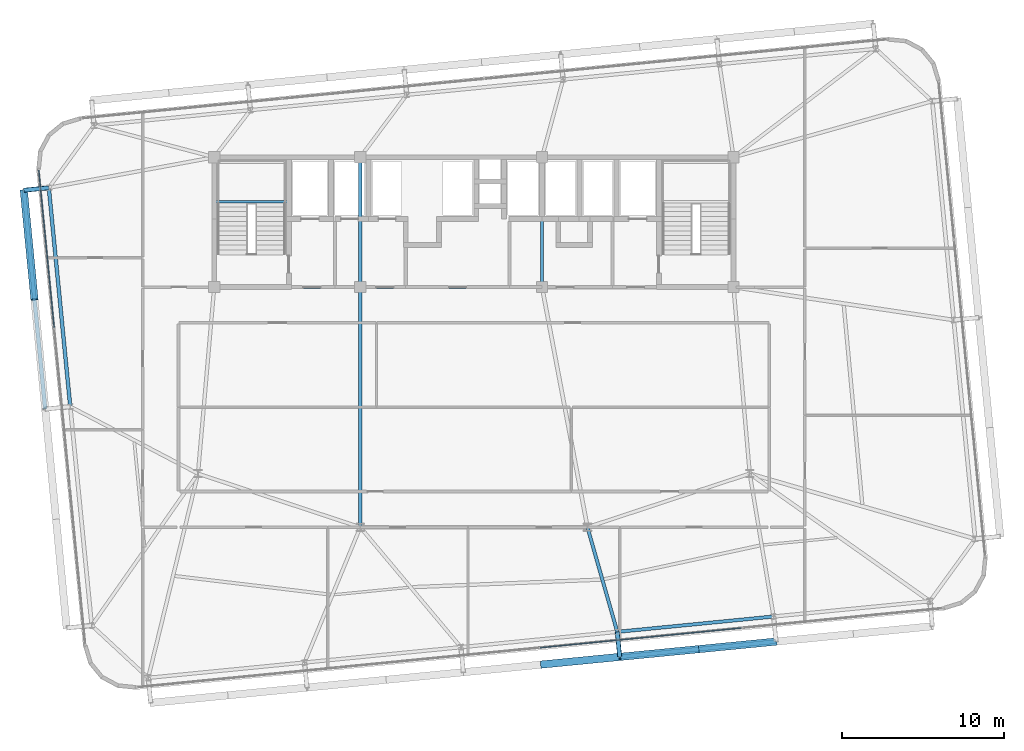
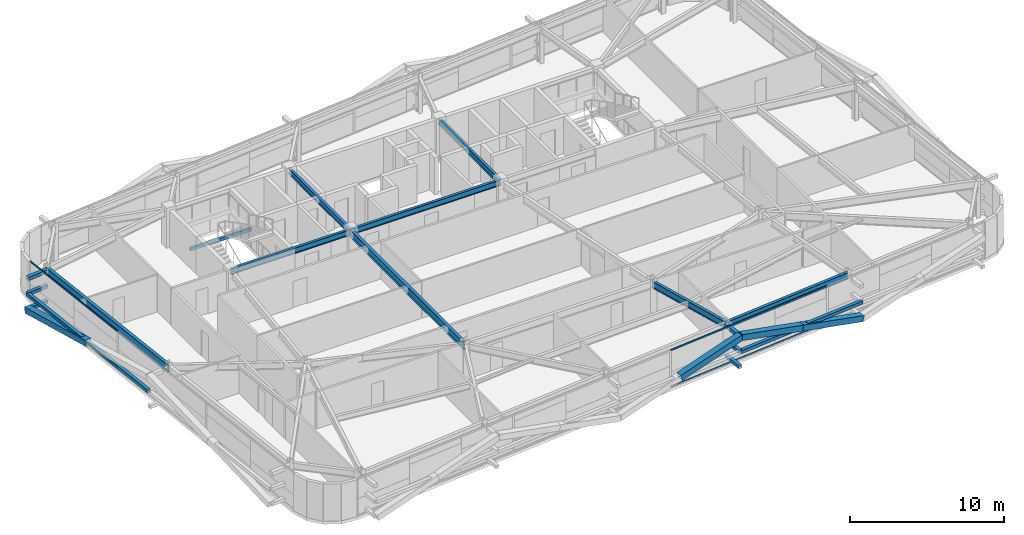
# One storey, part 14 of 47: 16 members, 9 beams, 2 elements without a shape of their own.
"""IFC4 building model written with IfcOpenShell, lengths in metres."""

import ifcopenshell
import ifcopenshell.guid

model = None  # the IFC model being written
_history = None  # IfcOwnerHistory: only IFC2X3 demands one
_inside = {}  # id of a spatial element -> (the spatial element, [elements in it])
_under = {}  # id of a project, library or spatial element -> (it, [spatial elements below it])
_declared = {}  # id of a project -> (the project, [libraries it declares])
_typed = {}  # id of a type object -> (the type object, [elements of that type])
_made_of = {}  # id of a material, layer set ... -> (it, [elements and type objects made of it])


def new_model(schema):
    """Start an empty IFC model of exactly this schema.

    Asked for "IFC4X3", IfcOpenShell would pick the latest addendum, in which some entities
    have other attributes; the version numbers below select the first issue.
    IFC2X3 requires an IfcOwnerHistory on every rooted entity: one is made here for all.
    """
    global model, _history
    if schema == "IFC4X3":
        model = ifcopenshell.file(schema_version=(4, 3, 0, 0))
    else:
        model = ifcopenshell.file(schema=schema)
    _inside.clear()
    _under.clear()
    _declared.clear()
    _typed.clear()
    _made_of.clear()
    _history = None
    if model.schema == "IFC2X3":
        org = make("IfcOrganization", Name="unknown")
        user = make(
            "IfcPersonAndOrganization",
            ThePerson=make("IfcPerson", FamilyName="unknown"),
            TheOrganization=org,
        )
        app = make(
            "IfcApplication",
            ApplicationDeveloper=org,
            Version="unknown",
            ApplicationFullName="unknown",
            ApplicationIdentifier="unknown",
        )
        _history = make(
            "IfcOwnerHistory",
            OwningUser=user,
            OwningApplication=app,
            ChangeAction="ADDED",
            CreationDate=0,
        )
    return model


def make(cls, **values):
    """One entity of the class cls with the attributes given. An attribute that is None is left unset."""
    return model.create_entity(
        cls, **{name: value for name, value in values.items() if value is not None}
    )


def rooted(cls, **values):
    """An entity with a GlobalId (a new one), such as an element, a storey or a relation."""
    return make(cls, GlobalId=ifcopenshell.guid.new(), OwnerHistory=_history, **values)


def si_unit(unit_type, name, prefix=None):
    """IfcSIUnit, for example si_unit("LENGTHUNIT", "METRE", prefix="MILLI")."""
    return make("IfcSIUnit", UnitType=unit_type, Prefix=prefix, Name=name)


def assignment(units):
    """IfcUnitAssignment: the units of a project."""
    return None if units is None else make("IfcUnitAssignment", Units=units)


def point(xyz):
    """IfcCartesianPoint."""
    return None if xyz is None else make("IfcCartesianPoint", Coordinates=xyz)


def direction(xyz):
    """IfcDirection."""
    return None if xyz is None else make("IfcDirection", DirectionRatios=xyz)


def frame(location, z_axis=None, x_axis=None):
    """IfcAxis2Placement3D, a coordinate frame: its origin and axes. An axis left out is left unset."""
    return make(
        "IfcAxis2Placement3D",
        Location=point(location),
        Axis=direction(z_axis),
        RefDirection=direction(x_axis),
    )


def frame_2d(location, x_axis=None):
    """IfcAxis2Placement2D, a coordinate frame in the plane: its origin and x axis."""
    return make(
        "IfcAxis2Placement2D", Location=point(location), RefDirection=direction(x_axis)
    )


def origin():
    """The frame at (0, 0, 0) with its axes left unset."""
    return frame((0.0, 0.0, 0.0))


def origin_2d():
    """The frame at (0, 0) in the plane with its x axis left unset."""
    return frame_2d((0.0, 0.0))


def place(relative_to, where):
    """IfcLocalPlacement: puts the frame where relative to a parent placement (None: the world)."""
    return make(
        "IfcLocalPlacement", PlacementRelTo=relative_to, RelativePlacement=where
    )


def context(
    kind, dimensions, precision=None, world=None, true_north=None, identifier=None
):
    """IfcGeometricRepresentationContext, for example the 3D "Model" context."""
    return make(
        "IfcGeometricRepresentationContext",
        ContextIdentifier=identifier,
        ContextType=kind,
        CoordinateSpaceDimension=dimensions,
        Precision=precision,
        WorldCoordinateSystem=world,
        TrueNorth=true_north,
    )


def subcontext(parent, identifier, kind, view, scale=None):
    """IfcGeometricRepresentationSubContext, for example "Body" below "Model"."""
    return make(
        "IfcGeometricRepresentationSubContext",
        ContextIdentifier=identifier,
        ContextType=kind,
        ParentContext=parent,
        TargetScale=scale,
        TargetView=view,
    )


def project(units=None, contexts=None):
    """IfcProject with its units and contexts."""
    return rooted(
        "IfcProject",
        Name="project",
        RepresentationContexts=contexts,
        UnitsInContext=assignment(units),
    )


def spatial(cls, under=None, at=None, **own):
    """A site, building, storey or space (cls), placed at a placement, below another one or the project."""
    s = rooted(cls, ObjectPlacement=at, **own)
    if under is not None:
        _under.setdefault(under.id(), (under, []))[1].append(s)
    return s


def profile(cls, at=None, kind="AREA", **sizes):
    """A parametric profile (cls). Its sizes go by their IFC names, for example OverallWidth=200.0."""
    return make(cls, ProfileType=kind, Position=at, **sizes)


def hollow_rectangle(**sizes):
    """IfcRectangleHollowProfileDef."""
    return profile("IfcRectangleHollowProfileDef", **sizes)


def i_section(**sizes):
    """IfcIShapeProfileDef."""
    return profile("IfcIShapeProfileDef", **sizes)


def extrude(swept, where, along, depth):
    """IfcExtrudedAreaSolid: the profile swept, set in the frame where, extruded along a direction by depth."""
    return make(
        "IfcExtrudedAreaSolid",
        SweptArea=swept,
        Position=where,
        ExtrudedDirection=direction(along),
        Depth=depth,
    )


def shape(context_of_items, identifier, shape_type, items):
    """IfcShapeRepresentation: the items that make up one representation, for example the "Body"."""
    return make(
        "IfcShapeRepresentation",
        ContextOfItems=context_of_items,
        RepresentationIdentifier=identifier,
        RepresentationType=shape_type,
        Items=items,
    )


def source(mapping_origin, context_of_items, identifier, shape_type, items):
    """IfcRepresentationMap: a shape defined once, which mapped items show again and again."""
    return make(
        "IfcRepresentationMap",
        MappingOrigin=mapping_origin,
        MappedRepresentation=shape(context_of_items, identifier, shape_type, items),
    )


def transform(
    local_origin,
    x_axis=None,
    y_axis=None,
    z_axis=None,
    scale=None,
    scale2=None,
    scale3=None,
    uniform=True,
):
    """IfcCartesianTransformationOperator3D, or its non-uniform kind. x_axis, y_axis, z_axis: its Axis1, 2, 3."""
    if uniform:
        return make(
            "IfcCartesianTransformationOperator3D",
            Axis1=direction(x_axis),
            Axis2=direction(y_axis),
            LocalOrigin=point(local_origin),
            Scale=scale,
            Axis3=direction(z_axis),
        )
    return make(
        "IfcCartesianTransformationOperator3DnonUniform",
        Axis1=direction(x_axis),
        Axis2=direction(y_axis),
        LocalOrigin=point(local_origin),
        Scale=scale,
        Axis3=direction(z_axis),
        Scale2=scale2,
        Scale3=scale3,
    )


def mapped(mapping_source, mapping_target):
    """IfcMappedItem: shows the shape of a source again, moved by a transform."""
    return make(
        "IfcMappedItem", MappingSource=mapping_source, MappingTarget=mapping_target
    )


def material(Name=None, Category=None):
    """IfcMaterial."""
    return make("IfcMaterial", Name=Name, Category=Category)


def layer(
    of_material, thickness, ventilated=None, Name=None, Category=None, Priority=None
):
    """IfcMaterialLayer: one layer of a wall or slab, of a material (None: an air gap)."""
    return make(
        "IfcMaterialLayer",
        Material=of_material,
        LayerThickness=thickness,
        IsVentilated=ventilated,
        Name=Name,
        Category=Category,
        Priority=Priority,
    )


def layer_set(layers, Name=None):
    """IfcMaterialLayerSet."""
    return make("IfcMaterialLayerSet", MaterialLayers=layers, LayerSetName=Name)


def material_profile(
    of_material, cross_section, Name=None, Category=None, Priority=None
):
    """IfcMaterialProfile: a cross section and its material."""
    return make(
        "IfcMaterialProfile",
        Name=Name,
        Material=of_material,
        Profile=cross_section,
        Priority=Priority,
        Category=Category,
    )


def profile_set(profiles, Name=None, composite=None):
    """IfcMaterialProfileSet."""
    return make(
        "IfcMaterialProfileSet",
        Name=Name,
        MaterialProfiles=profiles,
        CompositeProfile=composite,
    )


def made_of(thing, what):
    """Note that an element or type object is made of a material, layer set ...; save() writes the relation."""
    if what is not None:
        _made_of.setdefault(what.id(), (what, []))[1].append(thing)
    return thing


def type_object(cls, material=None, **own):
    """A type object (cls), such as IfcWallType, which elements share."""
    return made_of(rooted(cls, **own), material)


def element(
    cls,
    number,
    at=None,
    inside=None,
    cuts=None,
    type_object=None,
    material=None,
    context=None,
    identifier="Body",
    shape_type=None,
    held_by="IfcProductDefinitionShape",
    body=None,
    shapes=None,
    **own,
):
    """One element of the class cls, such as IfcWall. Its Tag is "e" and its number.

    at: its placement. inside: the storey or other place that contains it. cuts: it is an
    opening in that element (IfcRelVoidsElement). A single representation is given by context,
    identifier, shape_type and body (its items); several are given by shapes. held_by: the class
    of the entity that holds the representations. save() writes the other relations.
    """
    e = rooted(cls, Tag="e%d" % number, ObjectPlacement=at, **own)
    if body is not None:
        shapes = [shape(context, identifier, shape_type, body)]
    if shapes is not None:
        e.Representation = make(held_by, Representations=shapes)
    if inside is not None:
        _inside.setdefault(inside.id(), (inside, []))[1].append(e)
    if cuts is not None:
        rooted(
            "IfcRelVoidsElement", RelatingBuildingElement=cuts, RelatedOpeningElement=e
        )
    if type_object is not None:
        _typed.setdefault(type_object.id(), (type_object, []))[1].append(e)
    return made_of(e, material)


def aggregate(whole, parts):
    """IfcRelAggregates: a whole, such as a stair, and the parts it consists of."""
    return rooted("IfcRelAggregates", RelatingObject=whole, RelatedObjects=parts)


def save(model, path):
    """Write the relations noted so far, then the file.

    IfcRelAggregates (storeys below a building ...), IfcRelContainedInSpatialStructure (elements
    in a storey), IfcRelDefinesByType, IfcRelAssociatesMaterial and IfcRelDeclares: one each for
    every whole, place, type object, material and project.
    """
    for whole, parts in _under.values():
        aggregate(whole, parts)
    for where, things in _inside.values():
        rooted(
            "IfcRelContainedInSpatialStructure",
            RelatedElements=things,
            RelatingStructure=where,
        )
    for kind, things in _typed.values():
        rooted("IfcRelDefinesByType", RelatedObjects=things, RelatingType=kind)
    for what, things in _made_of.values():
        rooted("IfcRelAssociatesMaterial", RelatedObjects=things, RelatingMaterial=what)
    for by, libraries in _declared.values():
        rooted("IfcRelDeclares", RelatingContext=by, RelatedDefinitions=libraries)
    model.write(path)


model = new_model("IFC4")

# Units and contexts
model_context = context("Model", 3, precision=1e-05, world=origin(), true_north=direction((0.0, 1.0)))
body_context = subcontext(model_context, "Body", "Model", "MODEL_VIEW")
ifc_project = project(units=[si_unit("LENGTHUNIT", "METRE"), si_unit("AREAUNIT", "SQUARE_METRE"), si_unit("VOLUMEUNIT", "CUBIC_METRE"), si_unit("PLANEANGLEUNIT", "RADIAN"), si_unit("MASSUNIT", "GRAM", prefix="KILO")], contexts=[model_context])

# Site, building, storey
site_placement = place(None, origin())
site = spatial("IfcSite", under=ifc_project, at=site_placement, CompositionType="ELEMENT")
building_placement = place(site_placement, origin())
building = spatial("IfcBuilding", under=site, at=building_placement, Name="Taldren Reach Tower", CompositionType="ELEMENT")
storey_placement = place(building_placement, frame((0.0, 0.0, 87.14990234375)))
storey = spatial("IfcBuildingStorey", under=building, at=storey_placement, Name="L26", CompositionType="ELEMENT", Elevation=87.14990234375)

# Beams
ifc_material_1 = material(Name="Steel Gr 350 (350PLUS)", Category="steel")
ifc_material_profile_1 = material_profile(ifc_material_1, i_section(OverallWidth=0.19091796875, OverallDepth=0.4599609375, WebThickness=0.010009765625, FlangeThickness=0.01611328125, at=origin_2d()), Name="460UB82.1")
ifc_profile_set_1 = profile_set([ifc_material_profile_1], Name="Steel Gr 350 (350PLUS)")
beam_type_1 = type_object("IfcBeamType", Name="BM-UB460A", PredefinedType="BEAM", material=ifc_profile_set_1)
shared_shape_1 = source(origin(), body_context, "Body", "SweptSolid", [
    extrude(i_section(OverallWidth=0.19091796875, OverallDepth=0.4599609375, WebThickness=0.010009765625, FlangeThickness=0.01611328125, at=origin_2d()), origin(), (0.0, 0.0, 1.0), 9.0),
])
beam_1_placement = place(storey_placement, frame((19.0, 24.0, 2.7001953125), z_axis=(1.0, 0.0, 0.0), x_axis=(0.0, 1.0, 0.0)))
element("IfcBeam", 1, at=beam_1_placement, inside=storey, type_object=beam_type_1, Name="Core-spine girder L26-SP01", PredefinedType="BEAM", context=body_context, shape_type="MappedRepresentation", body=[
    mapped(shared_shape_1, transform((0.0, 0.0, 0.0), scale=1.0)),
])
shared_shape_2 = source(origin(), body_context, "Body", "SweptSolid", [
    extrude(i_section(OverallWidth=0.19091796875, OverallDepth=0.4599609375, WebThickness=0.010009765625, FlangeThickness=0.01611328125, at=origin_2d()), origin(), (0.0, 0.0, 1.0), 11.199951171875),
])
beam_2_placement = place(storey_placement, frame((28.0, 24.0, 2.7001953125), z_axis=(1.0, 0.0, 0.0), x_axis=(0.0, 1.0, 0.0)))
element("IfcBeam", 2, at=beam_2_placement, inside=storey, type_object=beam_type_1, Name="Core-spine girder L26-SP02", PredefinedType="BEAM", context=body_context, shape_type="MappedRepresentation", body=[
    mapped(shared_shape_2, transform((0.0, 0.0, 0.0), scale=1.0)),
])
shared_shape_3 = source(origin(), body_context, "Body", "SweptSolid", [
    extrude(i_section(OverallWidth=0.19091796875, OverallDepth=0.4599609375, WebThickness=0.010009765625, FlangeThickness=0.01611328125, at=origin_2d()), origin(), (0.0, 0.0, 1.0), 8.0),
])
for number, where, z_axis, x_axis, name in (
    (3, (28.0, 24.0, 2.7001953125), (0.0, 1.0, 0.0), (-1.0, 0.0, 0.0), "Core-spine girder L26-SP07"),
    (4, (39.199951171875, 24.0, 2.7001953125), (0.0, 1.0, 0.0), (-1.0, 0.0, 0.0), "Core-spine girder L26-SP08"),
):
    element("IfcBeam", number, at=place(storey_placement, frame(where, z_axis=z_axis, x_axis=x_axis)), inside=storey, type_object=beam_type_1, Name=name, PredefinedType="BEAM", context=body_context, shape_type="MappedRepresentation", body=[
        mapped(shared_shape_3, transform((0.0, 0.0, 0.0), scale=1.0)),
    ])
ifc_material_profile_2 = material_profile(ifc_material_1, i_section(OverallWidth=0.22802734375, OverallDepth=0.60205078125, WebThickness=0.010498046875, FlangeThickness=0.014892578125, at=origin_2d()), Name="610UB101")
ifc_profile_set_2 = profile_set([ifc_material_profile_2], Name="Steel Gr 350 (350PLUS)")
beam_type_2 = type_object("IfcBeamType", Name="BM-UB610B", PredefinedType="BEAM", material=ifc_profile_set_2)
shared_shape_4 = source(origin(), body_context, "Body", "SweptSolid", [
    extrude(i_section(OverallWidth=0.22802734375, OverallDepth=0.60205078125, WebThickness=0.010498046875, FlangeThickness=0.014892578125, at=origin_2d()), origin(), (0.0, 0.0, 1.0), 14.800048828125),
])
beam_3_placement = place(storey_placement, frame((28.0, 24.0, 2.629150390625), z_axis=(0.0, -1.0, 0.0), x_axis=(1.0, 0.0, 0.0)))
element("IfcBeam", 5, at=beam_3_placement, inside=storey, type_object=beam_type_2, Name="Core-spine girder L26-SP14", PredefinedType="BEAM", context=body_context, shape_type="MappedRepresentation", body=[
    mapped(shared_shape_4, transform((0.0, 0.0, 0.0), scale=1.0)),
])

# Members
ifc_material_2 = material(Name="Steel Gr 450 (C450L0)", Category="steel")
ifc_material_profile_3 = material_profile(ifc_material_2, hollow_rectangle(XDim=0.27490234375, YDim=0.27490234375, WallThickness=0.00927734375, at=origin_2d()), Name="275x275x9.3SHS")
ifc_profile_set_3 = profile_set([ifc_material_profile_3], Name="Steel Gr 450 (C450L0)")
member_type_1 = type_object("IfcMemberType", Name="MB-TIE273", PredefinedType="STRUT", material=ifc_profile_set_3)
shared_shape_5 = source(origin(), body_context, "Body", "SweptSolid", [
    extrude(hollow_rectangle(XDim=0.27490234375, YDim=0.27490234375, WallThickness=0.00927734375, at=origin_2d()), origin(), (0.0, 0.0, 1.0), 1.5498046875),
])
member_1_placement = place(storey_placement, frame((43.83544921875, 2.75390625, 2.650146484375), z_axis=(0.097663201064, -0.995219523099, 0.0), x_axis=(0.995219523099, 0.097663201064, 0.0)))
element("IfcMember", 6, at=member_1_placement, inside=storey, type_object=member_type_1, Name="Exoskeleton diaphragm tie strut B2-S4 L26", PredefinedType="STRUT", context=body_context, shape_type="MappedRepresentation", body=[
    mapped(shared_shape_5, transform((0.0, 0.0, 0.0), scale=1.0)),
])
ifc_material_3 = material(Name="Steel Gr 350 (C350L0)", Category="steel")
ifc_material_profile_4 = material_profile(ifc_material_3, hollow_rectangle(XDim=0.25, YDim=0.25, WallThickness=0.010009765625, at=origin_2d()), Name="250x250x10.0SHS")
ifc_profile_set_4 = profile_set([ifc_material_profile_4], Name="Steel Gr 350 (C350L0)")
member_type_2 = type_object("IfcMemberType", Name="MB-POST250", PredefinedType="POST", material=ifc_profile_set_4)
shared_shape_6 = source(origin(), body_context, "Body", "SweptSolid", [
    extrude(hollow_rectangle(XDim=0.25, YDim=0.25, WallThickness=0.010009765625, at=origin_2d()), origin(), (0.0, 0.0, 1.0), 1.5498046875),
])
for number, where, z_axis, x_axis, name in (
    (7, (43.83544921875, 2.75390625, 0.22021484375), (0.097663201064, -0.995219523099, 0.0), (0.995219523099, 0.097663201064, 0.0), "Exoskeleton base diaphragm tie strut B2-S4 L26"),
    (8, (43.83544921875, 2.75390625, 1.43505859375), (0.097663201064, -0.995219523099, 0.0), (0.995219523099, 0.097663201064, 0.0), "Exoskeleton mid-tier diaphragm tie B2-S4 L26"),
):
    element("IfcMember", number, at=place(storey_placement, frame(where, z_axis=z_axis, x_axis=x_axis)), inside=storey, type_object=member_type_2, Name=name, PredefinedType="POST", context=body_context, shape_type="MappedRepresentation", body=[
        mapped(shared_shape_6, transform((0.0, 0.0, 0.0), scale=1.0)),
    ])

# Beams
ifc_material_profile_5 = material_profile(ifc_material_1, i_section(OverallWidth=0.208984375, OverallDepth=0.528076171875, WebThickness=0.009521484375, FlangeThickness=0.01318359375, at=origin_2d()), Name="530UB82.0")
ifc_profile_set_5 = profile_set([ifc_material_profile_5], Name="Steel Gr 350 (350PLUS)")
beam_type_3 = type_object("IfcBeamType", Name="SP-UB530B", PredefinedType="SPANDREL", material=ifc_profile_set_5)
shared_shape_7 = source(origin(), body_context, "Body", "SweptSolid", [
    extrude(i_section(OverallWidth=0.208984375, OverallDepth=0.528076171875, WebThickness=0.009521484375, FlangeThickness=0.01318359375, at=origin_2d()), origin(), (0.0, 0.0, 1.0), 9.68017578125),
])
beam_4_placement = place(storey_placement, frame((43.83544921875, 2.75390625, 2.666015625), z_axis=(0.995227852805, 0.097578281404, 0.0), x_axis=(-0.097578281404, 0.995227852805, 0.0)))
element("IfcBeam", 9, at=beam_4_placement, inside=storey, type_object=beam_type_3, Name="Perimeter spandrel B2 S4-S5 L26", PredefinedType="SPANDREL", context=body_context, shape_type="MappedRepresentation", body=[
    mapped(shared_shape_7, transform((0.0, 0.0, 0.0), scale=1.0)),
])
shared_shape_8 = source(origin(), body_context, "Body", "SweptSolid", [
    extrude(i_section(OverallWidth=0.22802734375, OverallDepth=0.60205078125, WebThickness=0.010498046875, FlangeThickness=0.014892578125, at=origin_2d()), origin(), (0.0, 0.0, 1.0), 13.550048828125),
])
beam_5_placement = place(storey_placement, frame((8.808349609375, 30.116455078125, 2.629150390625), z_axis=(0.097584021339, -0.995227290009, 0.0), x_axis=(0.995227290009, 0.097584021339, 0.0)))
element("IfcBeam", 10, at=beam_5_placement, inside=storey, type_object=beam_type_2, Name="Perimeter gable girder B2 W3-W2 L26", PredefinedType="BEAM", context=body_context, shape_type="MappedRepresentation", body=[
    mapped(shared_shape_8, transform((0.0, 0.0, 0.0), scale=1.0)),
])
ifc_material_profile_6 = material_profile(ifc_material_1, i_section(OverallWidth=0.208984375, OverallDepth=0.532958984375, WebThickness=0.01025390625, FlangeThickness=0.015625, at=origin_2d()), Name="530UB92.4")
ifc_profile_set_6 = profile_set([ifc_material_profile_6], Name="Steel Gr 350 (350PLUS)")
beam_type_4 = type_object("IfcBeamType", Name="BM-UB530A", PredefinedType="BEAM", material=ifc_profile_set_6)
shared_shape_9 = source(origin(), body_context, "Body", "SweptSolid", [
    extrude(i_section(OverallWidth=0.208984375, OverallDepth=0.532958984375, WebThickness=0.01025390625, FlangeThickness=0.015625, at=origin_2d()), origin(), (0.0, 0.0, 1.0), 6.7021484375),
])
beam_6_placement = place(storey_placement, frame((42.0, 9.199951171875, 2.66357421875), z_axis=(0.273855026091, -0.961770983491, 0.0), x_axis=(0.961770983491, 0.273855026091, 0.0)))
element("IfcBeam", 11, at=beam_6_placement, inside=storey, type_object=beam_type_4, Name="Primary floor girder B2-S4 L26", PredefinedType="BEAM", context=body_context, shape_type="MappedRepresentation", body=[
    mapped(shared_shape_9, transform((0.0, 0.0, 0.0), scale=1.0)),
])

# Members
shared_shape_10 = source(origin(), body_context, "Body", "SweptSolid", [
    extrude(hollow_rectangle(XDim=0.27490234375, YDim=0.27490234375, WallThickness=0.00927734375, at=origin_2d()), origin(), (0.0, 0.0, 1.0), 1.550048828125),
])
member_2_placement = place(storey_placement, frame((8.808349609375, 30.116455078125, 2.650146484375), z_axis=(-0.9952210252, -0.097647892962, 0.0), x_axis=(0.097647892962, -0.9952210252, 0.0)))
element("IfcMember", 12, at=member_2_placement, inside=storey, type_object=member_type_1, Name="Exoskeleton diaphragm tie strut B2-W3 L26", PredefinedType="STRUT", context=body_context, shape_type="MappedRepresentation", body=[
    mapped(shared_shape_10, transform((0.0, 0.0, 0.0), scale=1.0)),
])
ifc_material_profile_7 = material_profile(ifc_material_2, hollow_rectangle(XDim=0.4599609375, YDim=0.4599609375, WallThickness=0.01611328125, at=origin_2d()), Name="460x460x16.0SHS")
ifc_profile_set_7 = profile_set([ifc_material_profile_7], Name="Steel Gr 450 (C450L0)")
member_type_3 = type_object("IfcMemberType", Name="MB-EXO457", PredefinedType="BRACE", material=ifc_profile_set_7)
shared_shape_11 = source(origin(), body_context, "Body", "SweptSolid", [
    extrude(hollow_rectangle(XDim=0.4599609375, YDim=0.4599609375, WallThickness=0.01611328125, at=origin_2d()), origin(), (0.0, 0.0, 1.0), 4.990234375),
])
for number, where, z_axis, x_axis, name in (
    (13, (39.169921875, 0.739013671875, 1.43505859375), (0.965271056716, 0.094667992638, 0.243494883389), (-0.097605711627, 0.995225162995, 0.0), "Exoskeleton Diagrid Brace B2-S3 L26"),
    (14, (53.62060546875, 2.156005859375, 0.22021484375), (-0.965282554799, -0.094669120301, 0.243448859234), (0.097605711627, -0.995225162995, 0.0), "Exoskeleton Diagrid Brace B2-S4 L26"),
    (15, (48.8037109375, 1.68359375, 1.43505859375), (-0.965275526283, -0.094619506732, 0.243496010862), (0.097555749586, -0.995230061706, 0.0), "Exoskeleton Diagrid Brace B2-S4 L26"),
):
    element("IfcMember", number, at=place(storey_placement, frame(where, z_axis=z_axis, x_axis=x_axis)), inside=storey, type_object=member_type_3, Name=name, PredefinedType="BRACE", context=body_context, shape_type="MappedRepresentation", body=[
        mapped(shared_shape_11, transform((0.0, 0.0, 0.0), scale=1.0)),
    ])
shared_shape_12 = source(origin(), body_context, "Body", "SweptSolid", [
    extrude(hollow_rectangle(XDim=0.25, YDim=0.25, WallThickness=0.010009765625, at=origin_2d()), origin(), (0.0, 0.0, 1.0), 9.679931640625),
])
member_3_placement = place(storey_placement, frame((43.98681640625, 1.21142578125, 1.43505859375), z_axis=(0.995227612658, 0.097580730699, 0.0), x_axis=(-0.097580730699, 0.995227612658, 0.0)))
element("IfcMember", 16, at=member_3_placement, inside=storey, type_object=member_type_2, Name="Exoskeleton mid-height ring chord B2-S4 L26", PredefinedType="POST", context=body_context, shape_type="MappedRepresentation", body=[
    mapped(shared_shape_12, transform((0.0, 0.0, 0.0), scale=1.0)),
])
shared_shape_13 = source(origin(), body_context, "Body", "SweptSolid", [
    extrude(hollow_rectangle(XDim=0.25, YDim=0.25, WallThickness=0.010009765625, at=origin_2d()), origin(), (0.0, 0.0, 1.0), 1.550048828125),
])
for number, where, z_axis, x_axis, name in (
    (17, (8.808349609375, 30.116455078125, 0.22021484375), (-0.9952210252, -0.097647892962, 0.0), (0.097647892962, -0.9952210252, 0.0), "Exoskeleton base diaphragm tie strut B2-W3 L26"),
    (18, (8.808349609375, 30.116455078125, 1.43505859375), (-0.9952210252, -0.097647892962, 0.0), (0.097647892962, -0.9952210252, 0.0), "Exoskeleton mid-tier diaphragm tie B2-W3 L26"),
):
    element("IfcMember", number, at=place(storey_placement, frame(where, z_axis=z_axis, x_axis=x_axis)), inside=storey, type_object=member_type_2, Name=name, PredefinedType="POST", context=body_context, shape_type="MappedRepresentation", body=[
        mapped(shared_shape_13, transform((0.0, 0.0, 0.0), scale=1.0)),
    ])
shared_shape_14 = source(origin(), body_context, "Body", "SweptSolid", [
    extrude(hollow_rectangle(XDim=0.4599609375, YDim=0.4599609375, WallThickness=0.01611328125, at=origin_2d()), origin(), (0.0, 0.0, 1.0), 6.883056640625),
])
member_4_placement = place(storey_placement, frame((7.265625, 29.965087890625, 0.22021484375), z_axis=(0.096052059581, -0.979603316657, 0.176497432967), x_axis=(0.995227290009, 0.097584021339, 0.0)))
element("IfcMember", 19, at=member_4_placement, inside=storey, type_object=member_type_3, Name="Exoskeleton Diagrid Brace B2-W2 L26", PredefinedType="BRACE", context=body_context, shape_type="MappedRepresentation", body=[
    mapped(shared_shape_14, transform((0.0, 0.0, 0.0), scale=1.0)),
])
shared_shape_15 = source(origin(), body_context, "Body", "SweptSolid", [
    extrude(hollow_rectangle(XDim=0.25, YDim=0.25, WallThickness=0.010009765625, at=origin_2d()), origin(), (0.0, 0.0, 1.0), 13.550048828125),
])
member_5_placement = place(storey_placement, frame((8.587890625, 16.479736328125, 1.43505859375), z_axis=(-0.097584021339, 0.995227290009, 0.0), x_axis=(-0.995227290009, -0.097584021339, 0.0)))
element("IfcMember", 20, at=member_5_placement, inside=storey, type_object=member_type_2, Name="Exoskeleton mid-height ring chord B2-W2 L26", PredefinedType="POST", context=body_context, shape_type="MappedRepresentation", body=[
    mapped(shared_shape_15, transform((0.0, 0.0, 0.0), scale=1.0)),
])

# Curtain wall, members
ifc_material_4 = material(Name="Aluminium and Low-E Glass Unitised System", Category="aluminium")
ifc_layer = layer(ifc_material_4, 0.159912109375)
ifc_layer_set = layer_set([ifc_layer], Name="Aluminium and Low-E Glass Unitised System")
curtain_wall_type = type_object("IfcCurtainWallType", Name="CW-SYS-3", PredefinedType="NOTDEFINED", material=ifc_layer_set)
curtain_wall_1_placement = place(storey_placement, origin())
curtain_wall_1 = element("IfcCurtainWall", 21, at=curtain_wall_1_placement, inside=storey, type_object=curtain_wall_type, Name="Unitised curtain wall CW-L26-S", PredefinedType="NOTDEFINED")
ifc_material_5 = material(Name="Anodised Aluminium 6063-T6", Category="aluminium")
ifc_material_profile_8 = material_profile(ifc_material_5, hollow_rectangle(XDim=0.054931640625, YDim=0.1201171875, WallThickness=0.0029296875, at=origin_2d()), Name="ALU-120x55x3RHS")
ifc_profile_set_8 = profile_set([ifc_material_profile_8], Name="Anodised Aluminium 6063-T6")
member_type_4 = type_object("IfcMemberType", Name="CW-TRN-135", PredefinedType="USERDEFINED", material=ifc_profile_set_8)
shared_shape_16 = source(origin(), body_context, "Body", "SweptSolid", [
    extrude(hollow_rectangle(XDim=0.054931640625, YDim=0.1201171875, WallThickness=0.0029296875, at=origin_2d()), origin(), (0.0, 0.0, 1.0), 12.434814453125),
])
member_6_placement = place(storey_placement, frame((39.100830078125, 1.777099609375, 0.027587890625), z_axis=(0.995225870556, 0.097598496795, 0.0), x_axis=(-0.097598496795, 0.995225870556, 0.0)))
member_6 = element("IfcMember", 22, at=member_6_placement, type_object=member_type_4, Name="CW-3 transom 3.1", ObjectType="TRANSOM", PredefinedType="USERDEFINED", context=body_context, shape_type="MappedRepresentation", body=[
    mapped(shared_shape_16, transform((0.0, 0.0, 0.0), scale=1.0)),
])
member_7_placement = place(storey_placement, frame((39.100830078125, 1.777099609375, 2.902587890625), z_axis=(0.995225870556, 0.097598496795, 0.0), x_axis=(-0.097598496795, 0.995225870556, 0.0)))
member_7 = element("IfcMember", 23, at=member_7_placement, type_object=member_type_4, Name="CW-3 transom 3.2", ObjectType="TRANSOM", PredefinedType="USERDEFINED", context=body_context, shape_type="MappedRepresentation", body=[
    mapped(shared_shape_16, transform((0.0, 0.0, 0.0), scale=1.0)),
])
aggregate(curtain_wall_1, [member_6, member_7])

curtain_wall_2_placement = place(storey_placement, origin())
curtain_wall_2 = element("IfcCurtainWall", 24, at=curtain_wall_2_placement, inside=storey, type_object=curtain_wall_type, Name="Unitised curtain wall CW-L26-W", PredefinedType="NOTDEFINED")
shared_shape_17 = source(origin(), body_context, "Body", "SweptSolid", [
    extrude(hollow_rectangle(XDim=0.054931640625, YDim=0.1201171875, WallThickness=0.0029296875, at=origin_2d()), origin(), (0.0, 0.0, 1.0), 9.73583984375),
])
member_8_placement = place(storey_placement, frame((8.18994140625, 31.1962890625, 0.027587890625), z_axis=(0.097571911043, -0.995228477374, 0.0), x_axis=(0.995228477374, 0.097571911043, 0.0)))
member_8 = element("IfcMember", 25, at=member_8_placement, type_object=member_type_4, Name="CW-3 transom 1.1", ObjectType="TRANSOM", PredefinedType="USERDEFINED", context=body_context, shape_type="MappedRepresentation", body=[
    mapped(shared_shape_17, transform((0.0, 0.0, 0.0), scale=1.0)),
])
member_9_placement = place(storey_placement, frame((8.18994140625, 31.1962890625, 2.902587890625), z_axis=(0.097571911043, -0.995228477374, 0.0), x_axis=(0.995228477374, 0.097571911043, 0.0)))
member_9 = element("IfcMember", 26, at=member_9_placement, type_object=member_type_4, Name="CW-3 transom 1.2", ObjectType="TRANSOM", PredefinedType="USERDEFINED", context=body_context, shape_type="MappedRepresentation", body=[
    mapped(shared_shape_17, transform((0.0, 0.0, 0.0), scale=1.0)),
])
aggregate(curtain_wall_2, [member_8, member_9])

# Beam
ifc_material_profile_9 = material_profile(ifc_material_3, hollow_rectangle(XDim=0.14990234375, YDim=0.25, WallThickness=0.009033203125, at=origin_2d()), Name="250x150x9.0RHS")
ifc_profile_set_9 = profile_set([ifc_material_profile_9], Name="Steel Gr 350 (C350L0)")
beam_type_5 = type_object("IfcBeamType", Name="LN-RHS250", PredefinedType="LINTEL", material=ifc_profile_set_9)
shared_shape_18 = source(origin(), body_context, "Body", "SweptSolid", [
    extrude(hollow_rectangle(XDim=0.14990234375, YDim=0.25, WallThickness=0.009033203125, at=origin_2d()), origin(), (0.0, 0.0, 1.0), 4.60009765625),
])
beam_7_placement = place(storey_placement, frame((19.0, 29.2548828125, 1.27001953125), z_axis=(1.0, 0.0, 0.0), x_axis=(0.0, 1.0, 0.0)))
element("IfcBeam", 27, at=beam_7_placement, inside=storey, type_object=beam_type_5, Name="Stair half-landing support beam ST1-L26-1", PredefinedType="LINTEL", context=body_context, shape_type="MappedRepresentation", body=[
    mapped(shared_shape_18, transform((0.0, 0.0, 0.0), scale=1.0)),
])

save(model, "model.ifc")
